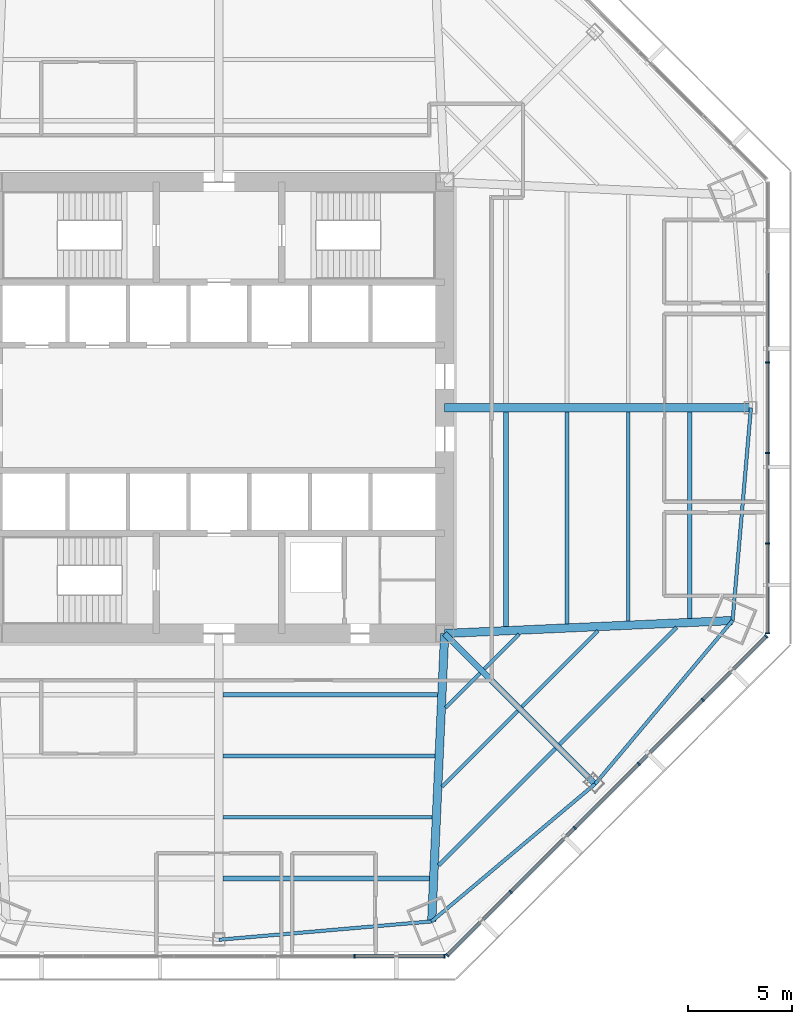
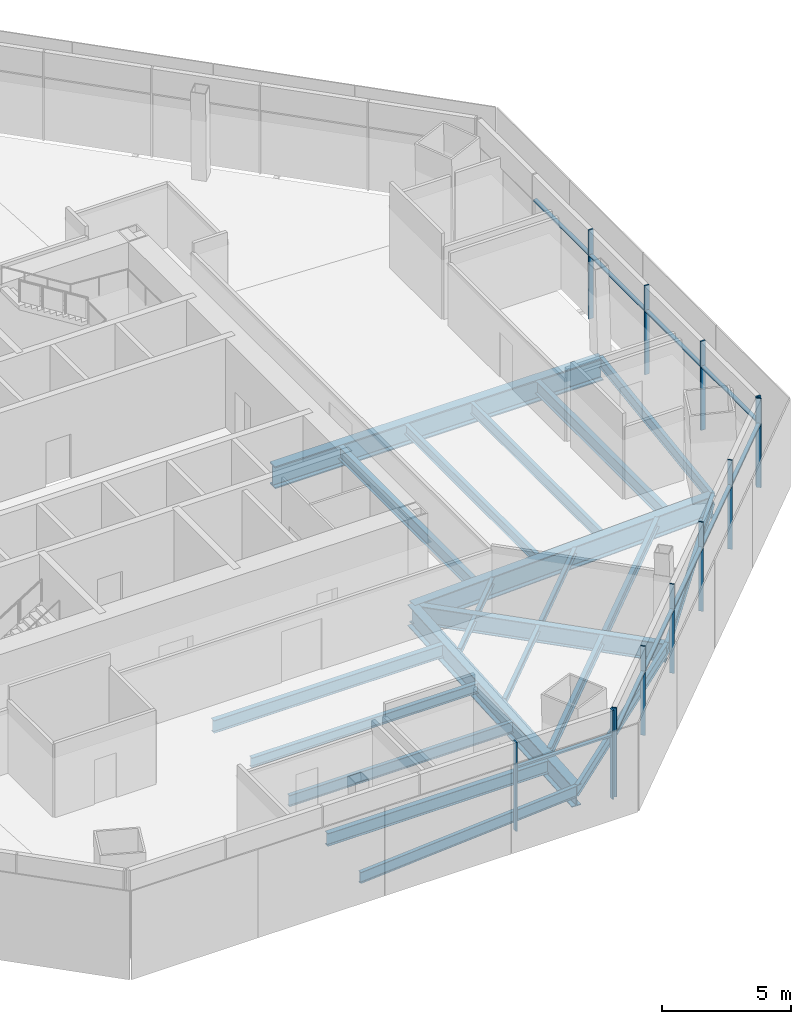
# One storey, part 4 of 15: 22 beams, 22 members, 3 elements without a shape of their own.
"""IFC4 building model written with IfcOpenShell, lengths in metres."""

from ifc_helpers import new_model, si_unit, direction, frame, origin, origin_2d, place, context, subcontext, project, spatial, rectangle, i_section, extrude, source, transform, mapped, material, material_profile, profile_set, type_object, type_shapes, element, aggregate, save


model = new_model("IFC4")

# Units and contexts
model_context = context("Model", 3, precision=1e-05, world=origin(), true_north=direction((0.0, 1.0)))
body_context = subcontext(model_context, "Body", "Model", "MODEL_VIEW")
ifc_project = project(units=[si_unit("LENGTHUNIT", "METRE"), si_unit("AREAUNIT", "SQUARE_METRE"), si_unit("VOLUMEUNIT", "CUBIC_METRE"), si_unit("PLANEANGLEUNIT", "RADIAN"), si_unit("MASSUNIT", "GRAM", prefix="KILO")], contexts=[model_context])

# Site, building, storey
site_placement = place(None, origin())
site = spatial("IfcSite", under=ifc_project, at=site_placement, CompositionType="ELEMENT")
building_placement = place(site_placement, origin())
building = spatial("IfcBuilding", under=site, at=building_placement, Name="Mashrafa Tower", CompositionType="ELEMENT")
storey_placement = place(building_placement, frame((0.0, 0.0, 62.39990234375)))
storey = spatial("IfcBuildingStorey", under=building, at=storey_placement, Name="L13", CompositionType="ELEMENT", Elevation=62.39990234375)

# Beams
ifc_material_1 = material(Name="Steel ASTM A992", Category="steel")
ifc_material_profile_1 = material_profile(ifc_material_1, i_section(OverallWidth=0.164794921875, OverallDepth=0.309814453125, WebThickness=0.005859375, FlangeThickness=0.009765625, FilletRadius=0.007568359375, at=origin_2d()), Name="W12X26")
ifc_profile_set_1 = profile_set([ifc_material_profile_1], Name="Steel ASTM A992")
beam_type_1 = type_object("IfcBeamType", Name="Beam W12X26", PredefinedType="BEAM", material=ifc_profile_set_1)
beam_1_placement = place(storey_placement, frame((12.496337890625, -12.702880859375, -0.31982421875), z_axis=(-0.707054651968, -0.707158906562, 0.0), x_axis=(0.707158906562, -0.707054651968, 0.0)))
element("IfcBeam", 1, at=beam_1_placement, inside=storey, type_object=beam_type_1, Name="Floor beam L13 040", PredefinedType="BEAM", context=body_context, shape_type="SweptSolid", body=[
    extrude(i_section(OverallWidth=0.164794921875, OverallDepth=0.309814453125, WebThickness=0.005859375, FlangeThickness=0.009765625, FilletRadius=0.007568359375, at=origin_2d()), origin(), (0.0, 0.0, 1.0), 2.341796875),
])
beam_2_placement = place(storey_placement, frame((14.296142578125, -14.502685546875, -0.31982421875), z_axis=(-0.707106781187, -0.707106781187, 0.0), x_axis=(0.707106781187, -0.707106781187, 0.0)))
element("IfcBeam", 2, at=beam_2_placement, inside=storey, type_object=beam_type_1, Name="Floor beam L13 044", PredefinedType="BEAM", context=body_context, shape_type="SweptSolid", body=[
    extrude(i_section(OverallWidth=0.164794921875, OverallDepth=0.309814453125, WebThickness=0.005859375, FlangeThickness=0.009765625, FilletRadius=0.007568359375, at=origin_2d()), origin(), (0.0, 0.0, 1.0), 5.126953125),
])
beam_3_placement = place(storey_placement, frame((14.35888671875, -10.840576171875, -0.31982421875), z_axis=(-0.707158906562, -0.707054651968, 0.0), x_axis=(0.707054651968, -0.707158906562, 0.0)))
element("IfcBeam", 3, at=beam_3_placement, inside=storey, type_object=beam_type_1, Name="Floor beam L13 046", PredefinedType="BEAM", context=body_context, shape_type="SweptSolid", body=[
    extrude(i_section(OverallWidth=0.164794921875, OverallDepth=0.309814453125, WebThickness=0.005859375, FlangeThickness=0.009765625, FilletRadius=0.007568359375, at=origin_2d()), origin(), (0.0, 0.0, 1.0), 2.341796875),
])
beam_4_placement = place(storey_placement, frame((18.1279296875, -10.6708984375, -0.31982421875), z_axis=(-0.707106781187, -0.707106781187, 0.0), x_axis=(0.707106781187, -0.707106781187, 0.0)))
element("IfcBeam", 4, at=beam_4_placement, inside=storey, type_object=beam_type_1, Name="Floor beam L13 051", PredefinedType="BEAM", context=body_context, shape_type="SweptSolid", body=[
    extrude(i_section(OverallWidth=0.164794921875, OverallDepth=0.309814453125, WebThickness=0.005859375, FlangeThickness=0.009765625, FilletRadius=0.007568359375, at=origin_2d()), origin(), (0.0, 0.0, 1.0), 5.126953125),
])
ifc_material_2 = material(Name="Steel ASTM A992", Category="steel")
ifc_material_profile_2 = material_profile(ifc_material_2, i_section(OverallWidth=0.191162109375, OverallDepth=0.459716796875, WebThickness=0.010009765625, FlangeThickness=0.01611328125, FilletRadius=0.01025390625, at=origin_2d()), Name="W18X55")
ifc_profile_set_2 = profile_set([ifc_material_profile_2], Name="Steel ASTM A992")
beam_type_2 = type_object("IfcBeamType", Name="Beam W18X55", PredefinedType="BEAM", material=ifc_profile_set_2)
beam_5_placement = place(storey_placement, frame((10.335205078125, -16.66162109375, -0.394775390625), z_axis=(-1.0, 0.0, 0.0), x_axis=(0.0, -1.0, 0.0)))
element("IfcBeam", 5, at=beam_5_placement, inside=storey, type_object=beam_type_2, Name="Floor beam L13 037", PredefinedType="BEAM", context=body_context, shape_type="SweptSolid", body=[
    extrude(i_section(OverallWidth=0.191162109375, OverallDepth=0.459716796875, WebThickness=0.010009765625, FlangeThickness=0.01611328125, FilletRadius=0.01025390625, at=origin_2d()), origin(), (0.0, 0.0, 1.0), 10.130615234375),
])
beam_6_placement = place(storey_placement, frame((16.095703125, -16.302490234375, -0.394775390625), z_axis=(-0.707106781187, -0.707106781187, 0.0), x_axis=(0.707106781187, -0.707106781187, 0.0)))
element("IfcBeam", 6, at=beam_6_placement, inside=storey, type_object=beam_type_2, Name="Floor beam L13 047", PredefinedType="BEAM", context=body_context, shape_type="SweptSolid", body=[
    extrude(i_section(OverallWidth=0.191162109375, OverallDepth=0.459716796875, WebThickness=0.010009765625, FlangeThickness=0.01611328125, FilletRadius=0.01025390625, at=origin_2d()), origin(), (0.0, 0.0, 1.0), 7.911865234375),
])
beam_7_placement = place(storey_placement, frame((16.66162109375, -0.20458984375, -0.394775390625), z_axis=(0.0, -1.0, 0.0), x_axis=(1.0, 0.0, 0.0)))
element("IfcBeam", 7, at=beam_7_placement, inside=storey, type_object=beam_type_2, Name="Floor beam L13 049", PredefinedType="BEAM", context=body_context, shape_type="SweptSolid", body=[
    extrude(i_section(OverallWidth=0.191162109375, OverallDepth=0.459716796875, WebThickness=0.010009765625, FlangeThickness=0.01611328125, FilletRadius=0.01025390625, at=origin_2d()), origin(), (0.0, 0.0, 1.0), 10.130615234375),
])
beam_8_placement = place(storey_placement, frame((21.89697265625, -10.501220703125, -0.394775390625), z_axis=(-0.707106781187, -0.707106781187, 0.0), x_axis=(0.707106781187, -0.707106781187, 0.0)))
element("IfcBeam", 8, at=beam_8_placement, inside=storey, type_object=beam_type_2, Name="Floor beam L13 054", PredefinedType="BEAM", context=body_context, shape_type="SweptSolid", body=[
    extrude(i_section(OverallWidth=0.191162109375, OverallDepth=0.459716796875, WebThickness=0.010009765625, FlangeThickness=0.01611328125, FilletRadius=0.01025390625, at=origin_2d()), origin(), (0.0, 0.0, 1.0), 7.911865234375),
])
ifc_material_3 = material(Name="Steel ASTM A992", Category="steel")
ifc_material_profile_3 = material_profile(ifc_material_3, i_section(OverallWidth=0.165771484375, OverallDepth=0.5283203125, WebThickness=0.009765625, FlangeThickness=0.013671875, FilletRadius=0.012939453125, at=origin_2d()), Name="W21X50")
ifc_profile_set_3 = profile_set([ifc_material_profile_3], Name="Steel ASTM A992")
beam_type_3 = type_object("IfcBeamType", Name="Beam W21X50", PredefinedType="BEAM", material=ifc_profile_set_3)
for number, where, z_axis, x_axis, name in (
    (9, (10.203125, -19.592529296875, -0.428955078125), (-1.0, 0.0, 0.0), (0.0, -1.0, 0.0), "Floor beam L13 035"),
    (10, (19.592529296875, -0.20458984375, -0.428955078125), (0.0, -1.0, 0.0), (1.0, 0.0, 0.0), "Floor beam L13 052"),
):
    element("IfcBeam", number, at=place(storey_placement, frame(where, z_axis=z_axis, x_axis=x_axis)), inside=storey, type_object=beam_type_3, Name=name, PredefinedType="BEAM", context=body_context, shape_type="SweptSolid", body=[
        extrude(i_section(OverallWidth=0.165771484375, OverallDepth=0.5283203125, WebThickness=0.009765625, FlangeThickness=0.013671875, FilletRadius=0.012939453125, at=origin_2d()), origin(), (0.0, 0.0, 1.0), 9.99853515625),
    ])
for number, where, z_axis, x_axis, name in (
    (11, (0.0, -25.4541015625, -0.428955078125), (0.996299620273, 0.085948046194, 0.0), (-0.085948046194, 0.996299620273, 0.0), "Spandrel beam L13 080"),
    (12, (10.1796875, -24.575927734375, -0.428955078125), (0.765265509267, 0.64371476628, 0.0), (-0.64371476628, 0.765265509267, 0.0), "Spandrel beam L13 082"),
    (13, (17.998779296875, -17.998779296875, -0.428955078125), (0.64371476628, 0.765265509267, 0.0), (-0.765265509267, 0.64371476628, 0.0), "Spandrel beam L13 084"),
    (14, (24.575927734375, -10.1796875, -0.428955078125), (0.085948046194, 0.996299620273, 0.0), (-0.996299620273, 0.085948046194, 0.0), "Spandrel beam L13 086"),
):
    element("IfcBeam", number, at=place(storey_placement, frame(where, z_axis=z_axis, x_axis=x_axis)), inside=storey, type_object=beam_type_3, Name=name, PredefinedType="BEAM", context=body_context, shape_type="SweptSolid", body=[
        extrude(i_section(OverallWidth=0.165771484375, OverallDepth=0.5283203125, WebThickness=0.009765625, FlangeThickness=0.013671875, FilletRadius=0.012939453125, at=origin_2d()), origin(), (0.0, 0.0, 1.0), 10.217529296875),
    ])
ifc_material_4 = material(Name="Steel ASTM A992", Category="steel")
ifc_material_profile_4 = material_profile(ifc_material_4, i_section(OverallWidth=0.227783203125, OverallDepth=0.60205078125, WebThickness=0.010498046875, FlangeThickness=0.014892578125, FilletRadius=0.012939453125, at=origin_2d()), Name="W24X68")
ifc_profile_set_4 = profile_set([ifc_material_profile_4], Name="Steel ASTM A992")
beam_type_4 = type_object("IfcBeamType", Name="Beam W24X68", PredefinedType="BEAM", material=ifc_profile_set_4)
beam_9_placement = place(storey_placement, frame((10.0712890625, -22.5234375, -0.4658203125), z_axis=(-1.0, 0.0, 0.0), x_axis=(0.0, -1.0, 0.0)))
element("IfcBeam", 15, at=beam_9_placement, inside=storey, type_object=beam_type_4, Name="Floor beam L13 033", PredefinedType="BEAM", context=body_context, shape_type="SweptSolid", body=[
    extrude(i_section(OverallWidth=0.227783203125, OverallDepth=0.60205078125, WebThickness=0.010498046875, FlangeThickness=0.014892578125, FilletRadius=0.012939453125, at=origin_2d()), origin(), (0.0, 0.0, 1.0), 9.86669921875),
])
for number, where, z_axis, x_axis, name in (
    (16, (10.467041015625, -13.730712890625, -0.4658203125), (-1.0, 0.0, 0.0), (0.0, -1.0, 0.0), "Floor beam L13 039"),
    (17, (13.730712890625, -0.20458984375, -0.4658203125), (0.0, -1.0, 0.0), (1.0, 0.0, 0.0), "Floor beam L13 042"),
):
    element("IfcBeam", number, at=place(storey_placement, frame(where, z_axis=z_axis, x_axis=x_axis)), inside=storey, type_object=beam_type_4, Name=name, PredefinedType="BEAM", context=body_context, shape_type="SweptSolid", body=[
        extrude(i_section(OverallWidth=0.227783203125, OverallDepth=0.60205078125, WebThickness=0.010498046875, FlangeThickness=0.014892578125, FilletRadius=0.012939453125, at=origin_2d()), origin(), (0.0, 0.0, 1.0), 10.262451171875),
    ])
beam_10_placement = place(storey_placement, frame((22.5234375, -0.20458984375, -0.4658203125), z_axis=(0.0, -1.0, 0.0), x_axis=(1.0, 0.0, 0.0)))
element("IfcBeam", 18, at=beam_10_placement, inside=storey, type_object=beam_type_4, Name="Floor beam L13 055", PredefinedType="BEAM", context=body_context, shape_type="SweptSolid", body=[
    extrude(i_section(OverallWidth=0.227783203125, OverallDepth=0.60205078125, WebThickness=0.010498046875, FlangeThickness=0.014892578125, FilletRadius=0.012939453125, at=origin_2d()), origin(), (0.0, 0.0, 1.0), 9.86669921875),
])
ifc_material_5 = material(Name="Steel ASTM A992", Category="steel")
ifc_material_profile_5 = material_profile(ifc_material_5, i_section(OverallWidth=0.2919921875, OverallDepth=0.8583984375, WebThickness=0.01708984375, FlangeThickness=0.031005859375, FilletRadius=0.017822265625, at=origin_2d()), Name="W33X169")
ifc_profile_set_5 = profile_set([ifc_material_profile_5], Name="Steel ASTM A992")
beam_type_5 = type_object("IfcBeamType", Name="Beam W33X169", PredefinedType="BEAM", material=ifc_profile_set_5)
beam_11_placement = place(storey_placement, frame((10.800048828125, -10.800048828125, -0.59423828125), z_axis=(0.707106781187, -0.707106781187, 0.0), x_axis=(0.707106781187, 0.707106781187, 0.0)))
element("IfcBeam", 19, at=beam_11_placement, inside=storey, type_object=beam_type_5, Name="Radial girder L13 067", PredefinedType="BEAM", context=body_context, shape_type="SweptSolid", body=[
    extrude(i_section(OverallWidth=0.2919921875, OverallDepth=0.8583984375, WebThickness=0.01708984375, FlangeThickness=0.031005859375, FilletRadius=0.017822265625, at=origin_2d()), origin(), (0.0, 0.0, 1.0), 10.1806640625),
])
ifc_material_6 = material(Name="Steel ASTM A992", Category="steel")
ifc_material_profile_6 = material_profile(ifc_material_6, i_section(OverallWidth=0.4013671875, OverallDepth=1.010986328125, WebThickness=0.023681640625, FlangeThickness=0.0419921875, FilletRadius=0.02001953125, at=origin_2d()), Name="W40X297")
ifc_profile_set_6 = profile_set([ifc_material_profile_6], Name="Steel ASTM A992")
beam_type_6 = type_object("IfcBeamType", Name="Beam W40X297", PredefinedType="BEAM", material=ifc_profile_set_6)
for number, where, z_axis, x_axis, name in (
    (20, (10.800048828125, -10.800048828125, -0.67041015625), (-0.044986840105, -0.998987579611, 0.0), (0.998987579611, -0.044986840105, 0.0), "Radial girder L13 066"),
    (21, (10.800048828125, -10.800048828125, -0.67041015625), (0.998987579611, 0.044986840105, 0.0), (-0.044986840105, 0.998987579611, 0.0), "Radial girder L13 068"),
):
    element("IfcBeam", number, at=place(storey_placement, frame(where, z_axis=z_axis, x_axis=x_axis)), inside=storey, type_object=beam_type_6, Name=name, PredefinedType="BEAM", context=body_context, shape_type="SweptSolid", body=[
        extrude(i_section(OverallWidth=0.4013671875, OverallDepth=1.010986328125, WebThickness=0.023681640625, FlangeThickness=0.0419921875, FilletRadius=0.02001953125, at=origin_2d()), origin(), (0.0, 0.0, 1.0), 13.789794921875),
    ])
ifc_material_7 = material(Name="Steel ASTM A992", Category="steel")
ifc_material_profile_7 = material_profile(ifc_material_7, i_section(OverallWidth=0.408935546875, OverallDepth=1.04150390625, WebThickness=0.031005859375, FlangeThickness=0.055908203125, FilletRadius=0.020263671875, at=origin_2d()), Name="W40X397")
ifc_profile_set_7 = profile_set([ifc_material_profile_7], Name="Steel ASTM A992")
beam_type_7 = type_object("IfcBeamType", Name="Beam W40X397", PredefinedType="BEAM", material=ifc_profile_set_7)
beam_12_placement = place(storey_placement, frame((10.800048828125, 0.0, -0.685546875), z_axis=(1.0, 0.0, 0.0), x_axis=(0.0, 1.0, 0.0)))
element("IfcBeam", 22, at=beam_12_placement, inside=storey, type_object=beam_type_7, Name="Radial girder L13 069", PredefinedType="BEAM", context=body_context, shape_type="SweptSolid", body=[
    extrude(i_section(OverallWidth=0.408935546875, OverallDepth=1.04150390625, WebThickness=0.031005859375, FlangeThickness=0.055908203125, FilletRadius=0.020263671875, at=origin_2d()), origin(), (0.0, 0.0, 1.0), 14.654052734375),
])

# Curtain wall, members
ifc_material_8 = material(Name="Unitised aluminium curtain wall", Category="aluminium")
curtain_wall_type = type_object("IfcCurtainWallType", Name="Office curtain wall, zone 1 CW-A 200 deep", PredefinedType="NOTDEFINED", material=ifc_material_8)
curtain_wall_1_placement = place(storey_placement, origin())
curtain_wall_1 = element("IfcCurtainWall", 23, at=curtain_wall_1_placement, inside=storey, type_object=curtain_wall_type, Name="Office curtain wall, zone 1 L13 east", PredefinedType="NOTDEFINED")
ifc_material_9 = material(Name="Extruded aluminium mullion", Category="aluminium")
ifc_material_profile_8 = material_profile(ifc_material_9, rectangle(XDim=0.199951171875, YDim=0.06494140625, at=origin_2d()), Name="Mullion 65x200")
ifc_profile_set_8 = profile_set([ifc_material_profile_8], Name="Extruded aluminium mullion")
member_type_1 = type_object("IfcMemberType", Name="Mullion CW-A 65 x 200", PredefinedType="MULLION", material=ifc_profile_set_8)
shared_shape_1 = source(origin(), body_context, "Body", "SweptSolid", [
    extrude(rectangle(XDim=0.199951171875, YDim=0.06494140625, at=origin_2d()), origin(), (0.0, 0.0, 1.0), 4.2001953125),
])
type_shapes(member_type_1, [shared_shape_1])
member_1_placement = place(storey_placement, frame((26.24951171875, -10.7890625, 0.0), z_axis=(0.0, 0.0, 1.0), x_axis=(-1.0, 0.0, 0.0)))
member_1 = element("IfcMember", 24, at=member_1_placement, type_object=member_type_1, Name="CW-A mullion 1", PredefinedType="MULLION", context=body_context, shape_type="MappedRepresentation", body=[
    mapped(shared_shape_1, transform((0.0, 0.0, 0.0))),
])
member_2_placement = place(storey_placement, frame((26.24951171875, -6.492919921875, 0.0), z_axis=(0.0, 0.0, 1.0), x_axis=(-1.0, 0.0, 0.0)))
member_2 = element("IfcMember", 25, at=member_2_placement, type_object=member_type_1, Name="CW-A mullion 2", PredefinedType="MULLION", context=body_context, shape_type="MappedRepresentation", body=[
    mapped(shared_shape_1, transform((0.0, 0.0, 0.0))),
])
member_3_placement = place(storey_placement, frame((26.24951171875, -2.164306640625, 0.0), z_axis=(0.0, 0.0, 1.0), x_axis=(-1.0, 0.0, 0.0)))
member_3 = element("IfcMember", 26, at=member_3_placement, type_object=member_type_1, Name="CW-A mullion 3", PredefinedType="MULLION", context=body_context, shape_type="MappedRepresentation", body=[
    mapped(shared_shape_1, transform((0.0, 0.0, 0.0))),
])
member_4_placement = place(storey_placement, frame((26.24951171875, 2.164306640625, 0.0), z_axis=(0.0, 0.0, 1.0), x_axis=(-1.0, 0.0, 0.0)))
member_4 = element("IfcMember", 27, at=member_4_placement, type_object=member_type_1, Name="CW-A mullion 4", PredefinedType="MULLION", context=body_context, shape_type="MappedRepresentation", body=[
    mapped(shared_shape_1, transform((0.0, 0.0, 0.0))),
])

curtain_wall_2_placement = place(storey_placement, origin())
curtain_wall_2 = element("IfcCurtainWall", 28, at=curtain_wall_2_placement, inside=storey, type_object=curtain_wall_type, Name="Office curtain wall, zone 1 L13 south", PredefinedType="NOTDEFINED")
member_5_placement = place(storey_placement, frame((6.492919921875, -26.24951171875, 0.0), z_axis=(0.0, 0.0, 1.0), x_axis=(0.0, 1.0, 0.0)))
member_5 = element("IfcMember", 29, at=member_5_placement, type_object=member_type_1, Name="CW-A mullion 5", PredefinedType="MULLION", context=body_context, shape_type="MappedRepresentation", body=[
    mapped(shared_shape_1, transform((0.0, 0.0, 0.0))),
])
member_6_placement = place(storey_placement, frame((10.7890625, -26.24951171875, 0.0), z_axis=(0.0, 0.0, 1.0), x_axis=(0.0, 1.0, 0.0)))
member_6 = element("IfcMember", 30, at=member_6_placement, type_object=member_type_1, Name="CW-A mullion 6", PredefinedType="MULLION", context=body_context, shape_type="MappedRepresentation", body=[
    mapped(shared_shape_1, transform((0.0, 0.0, 0.0))),
])

curtain_wall_3_placement = place(storey_placement, origin())
curtain_wall_3 = element("IfcCurtainWall", 31, at=curtain_wall_3_placement, inside=storey, type_object=curtain_wall_type, Name="Office curtain wall, zone 1 L13 south-east", PredefinedType="NOTDEFINED")
member_7_placement = place(storey_placement, frame((10.93212890625, -26.190185546875, 0.0), z_axis=(0.0, 0.0, 1.0), x_axis=(-0.707106781187, 0.707106781187, 0.0)))
member_7 = element("IfcMember", 32, at=member_7_placement, type_object=member_type_1, Name="CW-A mullion 1", PredefinedType="MULLION", context=body_context, shape_type="MappedRepresentation", body=[
    mapped(shared_shape_1, transform((0.0, 0.0, 0.0))),
])
member_8_placement = place(storey_placement, frame((13.969970703125, -23.15234375, 0.0), z_axis=(0.0, 0.0, 1.0), x_axis=(-0.707106781187, 0.707106781187, 0.0)))
member_8 = element("IfcMember", 33, at=member_8_placement, type_object=member_type_1, Name="CW-A mullion 2", PredefinedType="MULLION", context=body_context, shape_type="MappedRepresentation", body=[
    mapped(shared_shape_1, transform((0.0, 0.0, 0.0))),
])
member_9_placement = place(storey_placement, frame((17.03076171875, -20.091552734375, 0.0), z_axis=(0.0, 0.0, 1.0), x_axis=(-0.707106781187, 0.707106781187, 0.0)))
member_9 = element("IfcMember", 34, at=member_9_placement, type_object=member_type_1, Name="CW-A mullion 3", PredefinedType="MULLION", context=body_context, shape_type="MappedRepresentation", body=[
    mapped(shared_shape_1, transform((0.0, 0.0, 0.0))),
])
member_10_placement = place(storey_placement, frame((20.091552734375, -17.03076171875, 0.0), z_axis=(0.0, 0.0, 1.0), x_axis=(-0.707106781187, 0.707106781187, 0.0)))
member_10 = element("IfcMember", 35, at=member_10_placement, type_object=member_type_1, Name="CW-A mullion 4", PredefinedType="MULLION", context=body_context, shape_type="MappedRepresentation", body=[
    mapped(shared_shape_1, transform((0.0, 0.0, 0.0))),
])
member_11_placement = place(storey_placement, frame((23.15234375, -13.969970703125, 0.0), z_axis=(0.0, 0.0, 1.0), x_axis=(-0.707106781187, 0.707106781187, 0.0)))
member_11 = element("IfcMember", 36, at=member_11_placement, type_object=member_type_1, Name="CW-A mullion 5", PredefinedType="MULLION", context=body_context, shape_type="MappedRepresentation", body=[
    mapped(shared_shape_1, transform((0.0, 0.0, 0.0))),
])
member_12_placement = place(storey_placement, frame((26.190185546875, -10.93212890625, 0.0), z_axis=(0.0, 0.0, 1.0), x_axis=(-0.707106781187, 0.707106781187, 0.0)))
member_12 = element("IfcMember", 37, at=member_12_placement, type_object=member_type_1, Name="CW-A mullion 6", PredefinedType="MULLION", context=body_context, shape_type="MappedRepresentation", body=[
    mapped(shared_shape_1, transform((0.0, 0.0, 0.0))),
])

# Member
ifc_material_10 = material(Name="Extruded aluminium transom", Category="aluminium")
ifc_material_profile_9 = material_profile(ifc_material_10, rectangle(XDim=0.159912109375, YDim=0.080078125, at=origin_2d()), Name="Transom 80x160")
ifc_profile_set_9 = profile_set([ifc_material_profile_9], Name="Extruded aluminium transom")
member_type_2 = type_object("IfcMemberType", Name="Transom CW-A 80 x 160", PredefinedType="MULLION", material=ifc_profile_set_9)
shared_shape_2 = source(origin(), body_context, "Body", "SweptSolid", [
    extrude(rectangle(XDim=0.159912109375, YDim=0.080078125, at=origin_2d()), origin(), (0.0, 0.0, 1.0), 4.231201171875),
])
member_13_placement = place(storey_placement, frame((26.24951171875, -10.756591796875, 3.0), z_axis=(0.0, 1.0, 0.0), x_axis=(-1.0, 0.0, 0.0)))
member_13 = element("IfcMember", 38, at=member_13_placement, type_object=member_type_2, Name="CW-A transom 1", PredefinedType="MULLION", context=body_context, shape_type="MappedRepresentation", body=[
    mapped(shared_shape_2, transform((0.0, 0.0, 0.0))),
])

member_14_placement = place(storey_placement, frame((6.525390625, -26.24951171875, 3.0), z_axis=(1.0, 0.0, 0.0), x_axis=(0.0, 1.0, 0.0)))
member_14 = element("IfcMember", 39, at=member_14_placement, type_object=member_type_2, Name="CW-A transom 5", PredefinedType="MULLION", context=body_context, shape_type="MappedRepresentation", body=[
    mapped(shared_shape_2, transform((0.0, 0.0, 0.0))),
])

aggregate(curtain_wall_2, [member_5, member_6, member_14])

shared_shape_3 = source(origin(), body_context, "Body", "SweptSolid", [
    extrude(rectangle(XDim=0.159912109375, YDim=0.080078125, at=origin_2d()), origin(), (0.0, 0.0, 1.0), 4.263671875),
])
member_15_placement = place(storey_placement, frame((26.24951171875, -6.46044921875, 3.0), z_axis=(0.0, 1.0, 0.0), x_axis=(-1.0, 0.0, 0.0)))
member_15 = element("IfcMember", 40, at=member_15_placement, type_object=member_type_2, Name="CW-A transom 2", PredefinedType="MULLION", context=body_context, shape_type="MappedRepresentation", body=[
    mapped(shared_shape_3, transform((0.0, 0.0, 0.0))),
])

member_16_placement = place(storey_placement, frame((26.24951171875, -2.1318359375, 3.0), z_axis=(0.0, 1.0, 0.0), x_axis=(-1.0, 0.0, 0.0)))
member_16 = element("IfcMember", 41, at=member_16_placement, type_object=member_type_2, Name="CW-A transom 3", PredefinedType="MULLION", context=body_context, shape_type="MappedRepresentation", body=[
    mapped(shared_shape_3, transform((0.0, 0.0, 0.0))),
])

member_17_placement = place(storey_placement, frame((26.24951171875, 2.19677734375, 3.0), z_axis=(0.0, 1.0, 0.0), x_axis=(-1.0, 0.0, 0.0)))
member_17 = element("IfcMember", 42, at=member_17_placement, type_object=member_type_2, Name="CW-A transom 4", PredefinedType="MULLION", context=body_context, shape_type="MappedRepresentation", body=[
    mapped(shared_shape_3, transform((0.0, 0.0, 0.0))),
])

aggregate(curtain_wall_1, [member_1, member_2, member_3, member_4, member_13, member_15, member_16, member_17])

member_18_placement = place(storey_placement, frame((13.992919921875, -23.12939453125, 3.0), z_axis=(0.707106781187, 0.707106781187, 0.0), x_axis=(-0.707106781187, 0.707106781187, 0.0)))
member_18 = element("IfcMember", 43, at=member_18_placement, type_object=member_type_2, Name="CW-A transom 2", PredefinedType="MULLION", context=body_context, shape_type="MappedRepresentation", body=[
    mapped(shared_shape_3, transform((0.0, 0.0, 0.0))),
])

member_19_placement = place(storey_placement, frame((17.0537109375, -20.068603515625, 3.0), z_axis=(0.707106781187, 0.707106781187, 0.0), x_axis=(-0.707106781187, 0.707106781187, 0.0)))
member_19 = element("IfcMember", 44, at=member_19_placement, type_object=member_type_2, Name="CW-A transom 3", PredefinedType="MULLION", context=body_context, shape_type="MappedRepresentation", body=[
    mapped(shared_shape_3, transform((0.0, 0.0, 0.0))),
])

member_20_placement = place(storey_placement, frame((20.114501953125, -17.0078125, 3.0), z_axis=(0.707106781187, 0.707106781187, 0.0), x_axis=(-0.707106781187, 0.707106781187, 0.0)))
member_20 = element("IfcMember", 45, at=member_20_placement, type_object=member_type_2, Name="CW-A transom 4", PredefinedType="MULLION", context=body_context, shape_type="MappedRepresentation", body=[
    mapped(shared_shape_3, transform((0.0, 0.0, 0.0))),
])

shared_shape_4 = source(origin(), body_context, "Body", "SweptSolid", [
    extrude(rectangle(XDim=0.159912109375, YDim=0.080078125, at=origin_2d()), origin(), (0.0, 0.0, 1.0), 4.23095703125),
])
type_shapes(member_type_2, [shared_shape_2, shared_shape_3, shared_shape_4])
member_21_placement = place(storey_placement, frame((10.955322265625, -26.167236328125, 3.0), z_axis=(0.707077929695, 0.707135631501, 0.0), x_axis=(-0.707135631501, 0.707077929695, 0.0)))
member_21 = element("IfcMember", 46, at=member_21_placement, type_object=member_type_2, Name="CW-A transom 1", PredefinedType="MULLION", context=body_context, shape_type="MappedRepresentation", body=[
    mapped(shared_shape_4, transform((0.0, 0.0, 0.0))),
])

member_22_placement = place(storey_placement, frame((23.17529296875, -13.947021484375, 3.0), z_axis=(0.707135631501, 0.707077929695, 0.0), x_axis=(-0.707077929695, 0.707135631501, 0.0)))
member_22 = element("IfcMember", 47, at=member_22_placement, type_object=member_type_2, Name="CW-A transom 5", PredefinedType="MULLION", context=body_context, shape_type="MappedRepresentation", body=[
    mapped(shared_shape_4, transform((0.0, 0.0, 0.0))),
])

aggregate(curtain_wall_3, [member_7, member_8, member_9, member_10, member_11, member_12, member_21, member_18, member_19, member_20, member_22])

save(model, "model.ifc")
